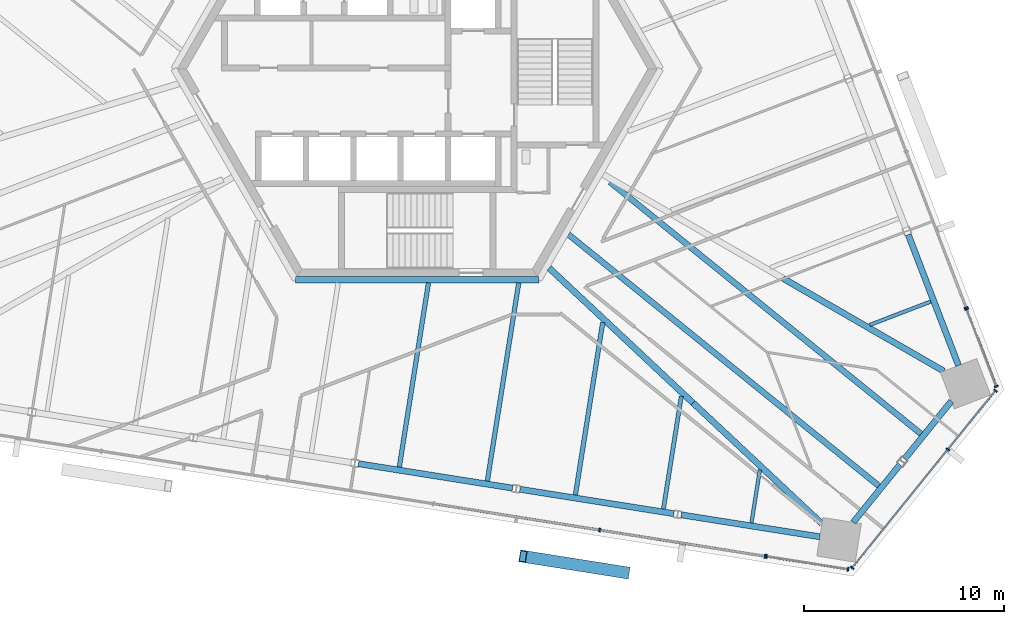
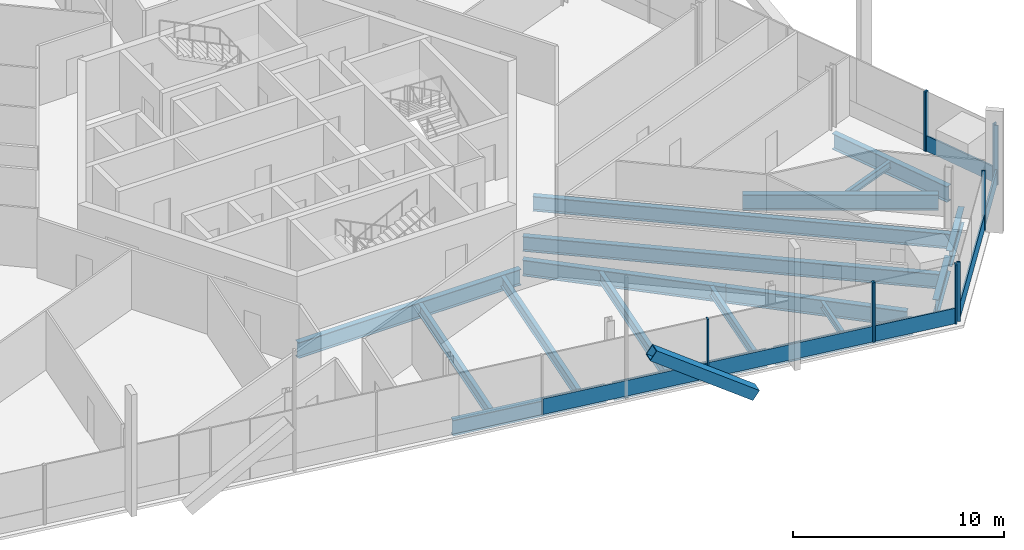
# One storey, part 6 of 21: 18 beams, 17 members, 5 elements without a shape of their own.
"""IFC4 building model written with IfcOpenShell, lengths in metres."""

from ifc_helpers import new_model, si_unit, direction, frame, origin, origin_2d, place, context, subcontext, project, spatial, rectangle, hollow_rectangle, i_section, extrude, source, transform, mapped, material, material_profile, profile_set, type_object, element, aggregate, save


model = new_model("IFC4")

# Units and contexts
model_context = context("Model", 3, precision=1e-05, world=origin(), true_north=direction((0.0, 1.0)))
body_context = subcontext(model_context, "Body", "Model", "MODEL_VIEW")
ifc_project = project(units=[si_unit("LENGTHUNIT", "METRE"), si_unit("AREAUNIT", "SQUARE_METRE"), si_unit("VOLUMEUNIT", "CUBIC_METRE"), si_unit("PLANEANGLEUNIT", "RADIAN"), si_unit("MASSUNIT", "GRAM", prefix="KILO")], contexts=[model_context])

# Site, building, storey
site_placement = place(None, origin())
site = spatial("IfcSite", under=ifc_project, at=site_placement, CompositionType="ELEMENT")
building_placement = place(site_placement, origin())
building = spatial("IfcBuilding", under=site, at=building_placement, Name="Triune Harvest Tower", CompositionType="ELEMENT")
storey_placement = place(building_placement, frame((0.0, 0.0, 146.10009765625)))
storey = spatial("IfcBuildingStorey", under=building, at=storey_placement, Name="L37", CompositionType="ELEMENT", Elevation=146.10009765625)

# Beams
ifc_material_1 = material(Name="Steel ASTM A992 Gr 50", Category="steel")
ifc_material_profile_1 = material_profile(ifc_material_1, i_section(OverallWidth=0.3046875, OverallDepth=0.914306640625, WebThickness=0.0166015625, FlangeThickness=0.02587890625, at=origin_2d()), Name="W36x160")
ifc_profile_set_1 = profile_set([ifc_material_profile_1], Name="Steel ASTM A992 Gr 50")
beam_type_1 = type_object("IfcBeamType", Name="CG-1 Core ring girder W36x160", PredefinedType="BEAM", material=ifc_profile_set_1)
shared_shape_1 = source(origin(), body_context, "Body", "SweptSolid", [
    extrude(i_section(OverallWidth=0.3046875, OverallDepth=0.914306640625, WebThickness=0.0166015625, FlangeThickness=0.02587890625, at=origin_2d()), origin(), (0.0, 0.0, 1.0), 12.17578125),
])
beam_1_placement = place(storey_placement, frame((-6.087890625, -10.544677734375, -0.6171875), z_axis=(1.0, 0.0, 0.0), x_axis=(0.0, 1.0, 0.0)))
element("IfcBeam", 1, at=beam_1_placement, inside=storey, type_object=beam_type_1, Name="beam/L37/CG5", PredefinedType="BEAM", context=body_context, shape_type="MappedRepresentation", body=[
    mapped(shared_shape_1, transform((0.0, 0.0, 0.0), scale=1.0)),
])
ifc_material_2 = material(Name="Steel ASTM A992 Gr 50", Category="steel")
ifc_material_profile_2 = material_profile(ifc_material_2, i_section(OverallWidth=0.307373046875, OverallDepth=0.922119140625, WebThickness=0.018310546875, FlangeThickness=0.030029296875, at=origin_2d()), Name="W36x182")
ifc_profile_set_2 = profile_set([ifc_material_profile_2], Name="Steel ASTM A992 Gr 50")
beam_type_2 = type_object("IfcBeamType", Name="HG-2 Hip girder W36x182", PredefinedType="BEAM", material=ifc_profile_set_2)
shared_shape_2 = source(origin(), body_context, "Body", "SweptSolid", [
    extrude(i_section(OverallWidth=0.307373046875, OverallDepth=0.922119140625, WebThickness=0.018310546875, FlangeThickness=0.030029296875, at=origin_2d()), origin(), (0.0, 0.0, 1.0), 9.85888671875),
])
beam_2_placement = place(storey_placement, frame((13.794189453125, -16.702392578125, -0.62109375), z_axis=(-0.729486233367, 0.683995493646, 0.0), x_axis=(-0.683995493646, -0.729486233367, 0.0)))
element("IfcBeam", 2, at=beam_2_placement, inside=storey, type_object=beam_type_2, Name="beam/L37/HG8", PredefinedType="BEAM", context=body_context, shape_type="MappedRepresentation", body=[
    mapped(shared_shape_2, transform((0.0, 0.0, 0.0), scale=1.0)),
])
ifc_material_3 = material(Name="Steel ASTM A992 Gr 50", Category="steel")
ifc_material_profile_3 = material_profile(ifc_material_3, i_section(OverallWidth=0.3046875, OverallDepth=0.914306640625, WebThickness=0.0166015625, FlangeThickness=0.02587890625, at=origin_2d()), Name="W36x160")
ifc_profile_set_3 = profile_set([ifc_material_profile_3], Name="Steel ASTM A992 Gr 50")
beam_type_3 = type_object("IfcBeamType", Name="SB-1 Spandrel beam W36x160", PredefinedType="SPANDREL", material=ifc_profile_set_3)
shared_shape_3 = source(origin(), body_context, "Body", "SweptSolid", [
    extrude(i_section(OverallWidth=0.3046875, OverallDepth=0.914306640625, WebThickness=0.0166015625, FlangeThickness=0.02587890625, at=origin_2d()), origin(), (0.0, 0.0, 1.0), 7.013427734375),
])
for number, where, z_axis, x_axis, name in (
    (3, (27.07568359375, -14.832275390625, -0.6171875), (-0.358372513984, 0.93357867436, 0.0), (-0.93357867436, -0.358372513984, 0.0), "beam/L37/SB1"),
    (4, (13.210205078125, -22.302978515625, -0.6171875), (0.987687489289, -0.156439839878, 0.0), (0.156439839878, 0.987687489289, 0.0), "beam/L37/SB22"),
):
    element("IfcBeam", number, at=place(storey_placement, frame(where, z_axis=z_axis, x_axis=x_axis)), inside=storey, type_object=beam_type_3, Name=name, PredefinedType="SPANDREL", context=body_context, shape_type="MappedRepresentation", body=[
        mapped(shared_shape_3, transform((0.0, 0.0, 0.0), scale=1.0)),
    ])
shared_shape_4 = source(origin(), body_context, "Body", "SweptSolid", [
    extrude(i_section(OverallWidth=0.3046875, OverallDepth=0.914306640625, WebThickness=0.0166015625, FlangeThickness=0.02587890625, at=origin_2d()), origin(), (0.0, 0.0, 1.0), 3.71240234375),
])
beam_3_placement = place(storey_placement, frame((21.808837890625, -22.677734375, -0.6171875), z_axis=(0.629351453127, 0.777120806855, 0.0), x_axis=(-0.777120806855, 0.629351453127, 0.0)))
element("IfcBeam", 5, at=beam_3_placement, inside=storey, type_object=beam_type_3, Name="beam/L37/SB23", PredefinedType="SPANDREL", context=body_context, shape_type="MappedRepresentation", body=[
    mapped(shared_shape_4, transform((0.0, 0.0, 0.0), scale=1.0)),
])
shared_shape_5 = source(origin(), body_context, "Body", "SweptSolid", [
    extrude(i_section(OverallWidth=0.3046875, OverallDepth=0.914306640625, WebThickness=0.0166015625, FlangeThickness=0.02587890625, at=origin_2d()), origin(), (0.0, 0.0, 1.0), 7.801513671875),
])
beam_4_placement = place(storey_placement, frame((5.135986328125, -21.024169921875, -0.6171875), z_axis=(0.98768800071, -0.156436610974, 0.0), x_axis=(0.156436610974, 0.98768800071, 0.0)))
element("IfcBeam", 6, at=beam_4_placement, inside=storey, type_object=beam_type_3, Name="beam/L37/SB21", PredefinedType="SPANDREL", context=body_context, shape_type="MappedRepresentation", body=[
    mapped(shared_shape_5, transform((0.0, 0.0, 0.0), scale=1.0)),
])
shared_shape_6 = source(origin(), body_context, "Body", "SweptSolid", [
    extrude(i_section(OverallWidth=0.3046875, OverallDepth=0.914306640625, WebThickness=0.0166015625, FlangeThickness=0.02587890625, at=origin_2d()), origin(), (0.0, 0.0, 1.0), 3.712646484375),
])
beam_5_placement = place(storey_placement, frame((24.380126953125, -19.50244140625, -0.6171875), z_axis=(0.629319290748, 0.777146852462, 0.0), x_axis=(-0.777146852462, 0.629319290748, 0.0)))
element("IfcBeam", 7, at=beam_5_placement, inside=storey, type_object=beam_type_3, Name="beam/L37/SB24", PredefinedType="SPANDREL", context=body_context, shape_type="MappedRepresentation", body=[
    mapped(shared_shape_6, transform((0.0, 0.0, 0.0), scale=1.0)),
])
shared_shape_7 = source(origin(), body_context, "Body", "SweptSolid", [
    extrude(i_section(OverallWidth=0.3046875, OverallDepth=0.914306640625, WebThickness=0.0166015625, FlangeThickness=0.02587890625, at=origin_2d()), origin(), (0.0, 0.0, 1.0), 7.80126953125),
])
beam_6_placement = place(storey_placement, frame((-2.938232421875, -19.745361328125, -0.6171875), z_axis=(0.987687234845, -0.15644144631, 0.0), x_axis=(0.15644144631, 0.987687234845, 0.0)))
element("IfcBeam", 8, at=beam_6_placement, inside=storey, type_object=beam_type_3, Name="beam/L37/SB20", PredefinedType="SPANDREL", context=body_context, shape_type="MappedRepresentation", body=[
    mapped(shared_shape_7, transform((0.0, 0.0, 0.0), scale=1.0)),
])
shared_shape_8 = source(origin(), body_context, "Body", "SweptSolid", [
    extrude(i_section(OverallWidth=0.307373046875, OverallDepth=0.922119140625, WebThickness=0.018310546875, FlangeThickness=0.030029296875, at=origin_2d()), origin(), (0.0, 0.0, 1.0), 9.28369140625),
])
beam_7_placement = place(storey_placement, frame((26.33837890625, -15.114990234375, -0.62109375), z_axis=(-0.86602880926, 0.499994101496, 0.0), x_axis=(-0.499994101496, -0.86602880926, 0.0)))
element("IfcBeam", 9, at=beam_7_placement, inside=storey, type_object=beam_type_2, Name="beam/L37/HG1", PredefinedType="BEAM", context=body_context, shape_type="MappedRepresentation", body=[
    mapped(shared_shape_8, transform((0.0, 0.0, 0.0), scale=1.0)),
])
shared_shape_9 = source(origin(), body_context, "Body", "SweptSolid", [
    extrude(i_section(OverallWidth=0.307373046875, OverallDepth=0.922119140625, WebThickness=0.018310546875, FlangeThickness=0.030029296875, at=origin_2d()), origin(), (0.0, 0.0, 1.0), 8.8369140625),
])
beam_8_placement = place(storey_placement, frame((20.24072265625, -22.746826171875, -0.62109375), z_axis=(-0.729491540387, 0.683989833626, 0.0), x_axis=(-0.683989833626, -0.729491540387, 0.0)))
element("IfcBeam", 10, at=beam_8_placement, inside=storey, type_object=beam_type_2, Name="beam/L37/HG7", PredefinedType="BEAM", context=body_context, shape_type="MappedRepresentation", body=[
    mapped(shared_shape_9, transform((0.0, 0.0, 0.0), scale=1.0)),
])
ifc_material_4 = material(Name="Steel ASTM A992 Gr 50", Category="steel")
ifc_material_profile_4 = material_profile(ifc_material_4, i_section(OverallWidth=0.180908203125, OverallDepth=0.41650390625, WebThickness=0.010986328125, FlangeThickness=0.01806640625, at=origin_2d()), Name="W16x57")
ifc_profile_set_4 = profile_set([ifc_material_profile_4], Name="Steel ASTM A992 Gr 50")
beam_type_4 = type_object("IfcBeamType", Name="JT-1 Floor joist W16x57", PredefinedType="JOIST", material=ifc_profile_set_4)
shared_shape_10 = source(origin(), body_context, "Body", "SweptSolid", [
    extrude(i_section(OverallWidth=0.180908203125, OverallDepth=0.41650390625, WebThickness=0.010986328125, FlangeThickness=0.01806640625, at=origin_2d()), origin(), (0.0, 0.0, 1.0), 3.260986328125),
])
beam_9_placement = place(storey_placement, frame((25.684814453125, -11.634033203125, -0.368408203125), z_axis=(-0.933600075775, -0.35831675723, 0.0), x_axis=(0.35831675723, -0.933600075775, 0.0)))
element("IfcBeam", 11, at=beam_9_placement, inside=storey, type_object=beam_type_4, Name="beam/L37/JT1", PredefinedType="JOIST", context=body_context, shape_type="MappedRepresentation", body=[
    mapped(shared_shape_10, transform((0.0, 0.0, 0.0), scale=1.0)),
])
ifc_material_5 = material(Name="Steel ASTM A992 Gr 50", Category="steel")
ifc_material_profile_5 = material_profile(ifc_material_5, i_section(OverallWidth=0.2919921875, OverallDepth=0.8583984375, WebThickness=0.01708984375, FlangeThickness=0.031005859375, at=origin_2d()), Name="W33x169")
ifc_profile_set_5 = profile_set([ifc_material_profile_5], Name="Steel ASTM A992 Gr 50")
beam_type_5 = type_object("IfcBeamType", Name="JT-7 Floor joist W33x169", PredefinedType="JOIST", material=ifc_profile_set_5)
shared_shape_11 = source(origin(), body_context, "Body", "SweptSolid", [
    extrude(i_section(OverallWidth=0.2919921875, OverallDepth=0.8583984375, WebThickness=0.01708984375, FlangeThickness=0.031005859375, at=origin_2d()), origin(), (0.0, 0.0, 1.0), 19.97216796875),
])
beam_10_placement = place(storey_placement, frame((23.090087890625, -20.853515625, -0.58935546875), z_axis=(-0.777140102023, 0.629327626779, 0.0), x_axis=(-0.629327626779, -0.777140102023, 0.0)))
element("IfcBeam", 12, at=beam_10_placement, inside=storey, type_object=beam_type_5, Name="beam/L37/JT35", PredefinedType="JOIST", context=body_context, shape_type="MappedRepresentation", body=[
    mapped(shared_shape_11, transform((0.0, 0.0, 0.0), scale=1.0)),
])
shared_shape_12 = source(origin(), body_context, "Body", "SweptSolid", [
    extrude(i_section(OverallWidth=0.2919921875, OverallDepth=0.8583984375, WebThickness=0.01708984375, FlangeThickness=0.031005859375, at=origin_2d()), origin(), (0.0, 0.0, 1.0), 20.01611328125),
])
beam_11_placement = place(storey_placement, frame((25.198486328125, -18.25, -0.58935546875), z_axis=(-0.777142320664, 0.629324887028, 0.0), x_axis=(-0.629324887028, -0.777142320664, 0.0)))
element("IfcBeam", 13, at=beam_11_placement, inside=storey, type_object=beam_type_5, Name="beam/L37/JT36", PredefinedType="JOIST", context=body_context, shape_type="MappedRepresentation", body=[
    mapped(shared_shape_12, transform((0.0, 0.0, 0.0), scale=1.0)),
])
ifc_material_6 = material(Name="Steel ASTM A992 Gr 50", Category="steel")
ifc_material_profile_6 = material_profile(ifc_material_6, i_section(OverallWidth=0.22900390625, OverallDepth=0.612060546875, WebThickness=0.011962890625, FlangeThickness=0.01953125, at=origin_2d()), Name="W24x84")
ifc_profile_set_6 = profile_set([ifc_material_profile_6], Name="Steel ASTM A992 Gr 50")
beam_type_6 = type_object("IfcBeamType", Name="JT-3 Floor joist W24x84", PredefinedType="JOIST", material=ifc_profile_set_6)
shared_shape_13 = source(origin(), body_context, "Body", "SweptSolid", [
    extrude(i_section(OverallWidth=0.22900390625, OverallDepth=0.612060546875, WebThickness=0.011962890625, FlangeThickness=0.01953125, at=origin_2d()), origin(), (0.0, 0.0, 1.0), 9.332275390625),
])
beam_12_placement = place(storey_placement, frame((-0.896728515625, -19.914306640625, -0.46630859375), z_axis=(0.156417974358, 0.987690952321, 0.0), x_axis=(-0.987690952321, 0.156417974358, 0.0)))
element("IfcBeam", 14, at=beam_12_placement, inside=storey, type_object=beam_type_6, Name="beam/L37/JT30", PredefinedType="JOIST", context=body_context, shape_type="MappedRepresentation", body=[
    mapped(shared_shape_13, transform((0.0, 0.0, 0.0), scale=1.0)),
])
shared_shape_14 = source(origin(), body_context, "Body", "SweptSolid", [
    extrude(i_section(OverallWidth=0.22900390625, OverallDepth=0.612060546875, WebThickness=0.011962890625, FlangeThickness=0.01953125, at=origin_2d()), origin(), (0.0, 0.0, 1.0), 10.03857421875),
])
beam_13_placement = place(storey_placement, frame((3.50732421875, -20.612060546875, -0.46630859375), z_axis=(0.156427136615, 0.987689501276, 0.0), x_axis=(-0.987689501276, 0.156427136615, 0.0)))
element("IfcBeam", 15, at=beam_13_placement, inside=storey, type_object=beam_type_6, Name="beam/L37/JT31", PredefinedType="JOIST", context=body_context, shape_type="MappedRepresentation", body=[
    mapped(shared_shape_14, transform((0.0, 0.0, 0.0), scale=1.0)),
])
shared_shape_15 = source(origin(), body_context, "Body", "SweptSolid", [
    extrude(i_section(OverallWidth=0.22900390625, OverallDepth=0.612060546875, WebThickness=0.011962890625, FlangeThickness=0.01953125, at=origin_2d()), origin(), (0.0, 0.0, 1.0), 8.73828125),
])
beam_14_placement = place(storey_placement, frame((7.91162109375, -21.3095703125, -0.46630859375), z_axis=(0.156433147227, 0.987688549315, 0.0), x_axis=(-0.987688549315, 0.156433147227, 0.0)))
element("IfcBeam", 16, at=beam_14_placement, inside=storey, type_object=beam_type_6, Name="beam/L37/JT32", PredefinedType="JOIST", context=body_context, shape_type="MappedRepresentation", body=[
    mapped(shared_shape_15, transform((0.0, 0.0, 0.0), scale=1.0)),
])
ifc_material_7 = material(Name="Steel ASTM A992 Gr 50", Category="steel")
ifc_material_profile_7 = material_profile(ifc_material_7, i_section(OverallWidth=0.2099609375, OverallDepth=0.535888671875, WebThickness=0.010986328125, FlangeThickness=0.017333984375, at=origin_2d()), Name="W21x68")
ifc_profile_set_7 = profile_set([ifc_material_profile_7], Name="Steel ASTM A992 Gr 50")
beam_type_7 = type_object("IfcBeamType", Name="JT-2 Floor joist W21x68", PredefinedType="JOIST", material=ifc_profile_set_7)
shared_shape_16 = source(origin(), body_context, "Body", "SweptSolid", [
    extrude(i_section(OverallWidth=0.2099609375, OverallDepth=0.535888671875, WebThickness=0.010986328125, FlangeThickness=0.017333984375, at=origin_2d()), origin(), (0.0, 0.0, 1.0), 5.712646484375),
])
beam_15_placement = place(storey_placement, frame((12.315673828125, -22.007080078125, -0.427978515625), z_axis=(0.156458528862, 0.98768452896, 0.0), x_axis=(-0.98768452896, 0.156458528862, 0.0)))
element("IfcBeam", 17, at=beam_15_placement, inside=storey, type_object=beam_type_7, Name="beam/L37/JT33", PredefinedType="JOIST", context=body_context, shape_type="MappedRepresentation", body=[
    mapped(shared_shape_16, transform((0.0, 0.0, 0.0), scale=1.0)),
])
shared_shape_17 = source(origin(), body_context, "Body", "SweptSolid", [
    extrude(i_section(OverallWidth=0.180908203125, OverallDepth=0.41650390625, WebThickness=0.010986328125, FlangeThickness=0.01806640625, at=origin_2d()), origin(), (0.0, 0.0, 1.0), 2.6875),
])
beam_16_placement = place(storey_placement, frame((16.719970703125, -22.70458984375, -0.368408203125), z_axis=(0.156438396813, 0.987687717856, 0.0), x_axis=(-0.987687717856, 0.156438396813, 0.0)))
element("IfcBeam", 18, at=beam_16_placement, inside=storey, type_object=beam_type_4, Name="beam/L37/JT34", PredefinedType="JOIST", context=body_context, shape_type="MappedRepresentation", body=[
    mapped(shared_shape_17, transform((0.0, 0.0, 0.0), scale=1.0)),
])

# Member
ifc_material_8 = material(Name="Steel ASTM A572 Gr 50", Category="steel")
ifc_material_profile_8 = material_profile(ifc_material_8, hollow_rectangle(XDim=0.60009765625, YDim=0.60009765625, WallThickness=0.0400390625, at=origin_2d()), Name="Box 600x600x40")
ifc_profile_set_8 = profile_set([ifc_material_profile_8], Name="Steel ASTM A572 Gr 50")
member_type_1 = type_object("IfcMemberType", Name="BR-2 Brace Box 600x600x40", PredefinedType="BRACE", material=ifc_profile_set_8)
shared_shape_18 = source(origin(), body_context, "Body", "SweptSolid", [
    extrude(hollow_rectangle(XDim=0.60009765625, YDim=0.60009765625, WallThickness=0.0400390625, at=origin_2d()), origin(), (0.0, 0.0, 1.0), 6.3291015625),
])
member_1_placement = place(storey_placement, frame((10.431396484375, -25.192626953125, 0.0), z_axis=(-0.812370358073, 0.12864459374, 0.568774972925), x_axis=(-0.156408097916, -0.987692516377, 0.0)))
element("IfcMember", 19, at=member_1_placement, inside=storey, type_object=member_type_1, Name="brace/B4-F5/d2/3", PredefinedType="BRACE", context=body_context, shape_type="MappedRepresentation", body=[
    mapped(shared_shape_18, transform((0.0, 0.0, 0.0), scale=1.0)),
])

# Curtain wall, members
ifc_material_9 = material(Name="Aluminium bronze anodised", Category="aluminium")
curtain_wall_type_1 = type_object("IfcCurtainWallType", Name="CW-1 Tower stick curtain wall", PredefinedType="NOTDEFINED", material=ifc_material_9)
curtain_wall_1_placement = place(storey_placement, origin())
curtain_wall_1 = element("IfcCurtainWall", 20, at=curtain_wall_1_placement, inside=storey, type_object=curtain_wall_type_1, Name="CW-1 B4-F1 L37 run 1")
ifc_material_10 = material(Name="Aluminium bronze anodised", Category="aluminium")
ifc_material_profile_9 = material_profile(ifc_material_10, rectangle(XDim=0.199951171875, YDim=0.074951171875, at=origin_2d()), Name="MU-1 mullion 75 x 200")
ifc_profile_set_9 = profile_set([ifc_material_profile_9], Name="Aluminium bronze anodised")
member_type_2 = type_object("IfcMemberType", Name="MU-1 mullion 75 x 200", PredefinedType="MULLION", material=ifc_profile_set_9)
shared_shape_19 = source(origin(), body_context, "Body", "SweptSolid", [
    extrude(rectangle(XDim=0.199951171875, YDim=0.074951171875, at=origin_2d()), origin(), (0.0, 0.0, 1.0), 3.43994140625),
])
member_2_placement = place(storey_placement, frame((28.963134765625, -15.874267578125, 0.0), z_axis=(0.0, 0.0, 1.0), x_axis=(-0.933580586242, -0.358367533395, 0.0)))
member_2 = element("IfcMember", 21, at=member_2_placement, type_object=member_type_2, Name="CW-1 mullion B4-F1 1.1", PredefinedType="MULLION", context=body_context, shape_type="MappedRepresentation", body=[
    mapped(shared_shape_19, transform((0.0, 0.0, 0.0), scale=1.0)),
])
member_3_placement = place(storey_placement, frame((27.482666015625, -12.017333984375, 0.0), z_axis=(0.0, 0.0, 1.0), x_axis=(-0.933580586242, -0.358367533395, 0.0)))
member_3 = element("IfcMember", 22, at=member_3_placement, type_object=member_type_2, Name="CW-1 mullion B4-F1 1.2", PredefinedType="MULLION", context=body_context, shape_type="MappedRepresentation", body=[
    mapped(shared_shape_19, transform((0.0, 0.0, 0.0), scale=1.0)),
])

# Curtain wall, member
ifc_material_11 = material(Name="Aluminium bronze anodised", Category="aluminium")
curtain_wall_type_2 = type_object("IfcCurtainWallType", Name="CW-7 Tower stick curtain wall with insulated spandrel infill", PredefinedType="NOTDEFINED", material=ifc_material_11)
curtain_wall_2_placement = place(storey_placement, origin())
curtain_wall_2 = element("IfcCurtainWall", 23, at=curtain_wall_2_placement, inside=storey, type_object=curtain_wall_type_2, Name="CW-7 B4-F1 L37 run 1001")
member_4_placement = place(storey_placement, frame((27.455810546875, -11.947509765625, 0.0), z_axis=(0.0, 0.0, 1.0), x_axis=(-0.933579785245, -0.35836962006, 0.0)))
member_4 = element("IfcMember", 24, at=member_4_placement, type_object=member_type_2, Name="CW-7 mullion B4-F1 1001.1", PredefinedType="MULLION", context=body_context, shape_type="MappedRepresentation", body=[
    mapped(shared_shape_19, transform((0.0, 0.0, 0.0), scale=1.0)),
])
aggregate(curtain_wall_2, [member_4])

# Curtain wall, members
curtain_wall_3_placement = place(storey_placement, origin())
curtain_wall_3 = element("IfcCurtainWall", 25, at=curtain_wall_3_placement, inside=storey, type_object=curtain_wall_type_2, Name="CW-7 B4-F5 L37 run 1001")
member_5_placement = place(storey_placement, frame((9.123046875, -23.061767578125, 0.0), z_axis=(0.0, 0.0, 1.0), x_axis=(0.156433077296, 0.987688560391, 0.0)))
member_5 = element("IfcMember", 26, at=member_5_placement, type_object=member_type_2, Name="CW-7 mullion B4-F5 1001.9", PredefinedType="MULLION", context=body_context, shape_type="MappedRepresentation", body=[
    mapped(shared_shape_19, transform((0.0, 0.0, 0.0), scale=1.0)),
])
member_6_placement = place(storey_placement, frame((17.394775390625, -24.371826171875, 0.0), z_axis=(0.0, 0.0, 1.0), x_axis=(0.156433077296, 0.987688560391, 0.0)))
member_6 = element("IfcMember", 27, at=member_6_placement, type_object=member_type_2, Name="CW-7 mullion B4-F5 1001.11", PredefinedType="MULLION", context=body_context, shape_type="MappedRepresentation", body=[
    mapped(shared_shape_19, transform((0.0, 0.0, 0.0), scale=1.0)),
])

curtain_wall_4_placement = place(storey_placement, origin())
curtain_wall_4 = element("IfcCurtainWall", 28, at=curtain_wall_4_placement, inside=storey, type_object=curtain_wall_type_1, Name="CW-1 B4-F5 L37 run 2001")
member_7_placement = place(storey_placement, frame((17.46875, -24.383544921875, 0.0), z_axis=(0.0, 0.0, 1.0), x_axis=(0.15644446033, 0.987686757445, 0.0)))
member_7 = element("IfcMember", 29, at=member_7_placement, type_object=member_type_2, Name="CW-1 mullion B4-F5 2001.1", PredefinedType="MULLION", context=body_context, shape_type="MappedRepresentation", body=[
    mapped(shared_shape_19, transform((0.0, 0.0, 0.0), scale=1.0)),
])
member_8_placement = place(storey_placement, frame((21.549072265625, -25.02978515625, 0.0), z_axis=(0.0, 0.0, 1.0), x_axis=(0.15644446033, 0.987686757445, 0.0)))
member_8 = element("IfcMember", 30, at=member_8_placement, type_object=member_type_2, Name="CW-1 mullion B4-F5 2001.2", PredefinedType="MULLION", context=body_context, shape_type="MappedRepresentation", body=[
    mapped(shared_shape_19, transform((0.0, 0.0, 0.0), scale=1.0)),
])

curtain_wall_5_placement = place(storey_placement, origin())
curtain_wall_5 = element("IfcCurtainWall", 31, at=curtain_wall_5_placement, inside=storey, type_object=curtain_wall_type_1, Name="CW-1 B4-F6 L37 run 1")
member_9_placement = place(storey_placement, frame((21.755126953125, -24.95068359375, 0.0), z_axis=(0.0, 0.0, 1.0), x_axis=(-0.777145544932, 0.629320905414, 0.0)))
member_9 = element("IfcMember", 32, at=member_9_placement, type_object=member_type_2, Name="CW-1 mullion B4-F6 1.1", PredefinedType="MULLION", context=body_context, shape_type="MappedRepresentation", body=[
    mapped(shared_shape_19, transform((0.0, 0.0, 0.0), scale=1.0)),
])
member_10_placement = place(storey_placement, frame((26.54541015625, -19.035400390625, 0.0), z_axis=(0.0, 0.0, 1.0), x_axis=(-0.777145544932, 0.629320905414, 0.0)))
member_10 = element("IfcMember", 33, at=member_10_placement, type_object=member_type_2, Name="CW-1 mullion B4-F6 1.3", PredefinedType="MULLION", context=body_context, shape_type="MappedRepresentation", body=[
    mapped(shared_shape_19, transform((0.0, 0.0, 0.0), scale=1.0)),
])
member_11_placement = place(storey_placement, frame((28.9287109375, -16.09228515625, 0.0), z_axis=(0.0, 0.0, 1.0), x_axis=(-0.777145544932, 0.629320905414, 0.0)))
member_11 = element("IfcMember", 34, at=member_11_placement, type_object=member_type_2, Name="CW-1 mullion B4-F6 1.4", PredefinedType="MULLION", context=body_context, shape_type="MappedRepresentation", body=[
    mapped(shared_shape_19, transform((0.0, 0.0, 0.0), scale=1.0)),
])

# Member
ifc_material_12 = material(Name="Aluminium bronze anodised", Category="aluminium")
ifc_material_profile_10 = material_profile(ifc_material_12, rectangle(XDim=0.090087890625, YDim=0.89990234375, at=origin_2d()), Name="TR-1 transom 90 x 900")
ifc_profile_set_10 = profile_set([ifc_material_profile_10], Name="Aluminium bronze anodised")
member_type_3 = type_object("IfcMemberType", Name="TR-1 transom 90 x 900", PredefinedType="USERDEFINED", material=ifc_profile_set_10)
shared_shape_20 = source(origin(), body_context, "Body", "SweptSolid", [
    extrude(rectangle(XDim=0.090087890625, YDim=0.89990234375, at=origin_2d()), origin(), (0.0, 0.0, 1.0), 8.337158203125),
])
member_12_placement = place(storey_placement, frame((0.851318359375, -21.751708984375, 0.449951171875), z_axis=(0.987689013774, -0.156430214699, 0.0), x_axis=(0.156430214699, 0.987689013774, 0.0)))
member_12 = element("IfcMember", 35, at=member_12_placement, type_object=member_type_3, Name="CW-7 transom B4-F5 1001.4", ObjectType="TRANSOM", PredefinedType="USERDEFINED", context=body_context, shape_type="MappedRepresentation", body=[
    mapped(shared_shape_20, transform((0.0, 0.0, 0.0), scale=1.0)),
])

shared_shape_21 = source(origin(), body_context, "Body", "SweptSolid", [
    extrude(rectangle(XDim=0.090087890625, YDim=0.89990234375, at=origin_2d()), origin(), (0.0, 0.0, 1.0), 7.53662109375),
])
member_13_placement = place(storey_placement, frame((21.77880859375, -24.921630859375, 0.449951171875), z_axis=(0.629310046563, 0.777154338143, 0.0), x_axis=(-0.777154338143, 0.629310046563, 0.0)))
member_13 = element("IfcMember", 36, at=member_13_placement, type_object=member_type_3, Name="CW-1 transom B4-F6 1.1", ObjectType="TRANSOM", PredefinedType="USERDEFINED", context=body_context, shape_type="MappedRepresentation", body=[
    mapped(shared_shape_21, transform((0.0, 0.0, 0.0), scale=1.0)),
])

shared_shape_22 = source(origin(), body_context, "Body", "SweptSolid", [
    extrude(rectangle(XDim=0.090087890625, YDim=0.89990234375, at=origin_2d()), origin(), (0.0, 0.0, 1.0), 3.712158203125),
])
member_14_placement = place(storey_placement, frame((26.569091796875, -19.00634765625, 0.449951171875), z_axis=(0.629272012567, 0.777185135087, 0.0), x_axis=(-0.777185135087, 0.629272012567, 0.0)))
member_14 = element("IfcMember", 37, at=member_14_placement, type_object=member_type_3, Name="CW-1 transom B4-F6 1.2", ObjectType="TRANSOM", PredefinedType="USERDEFINED", context=body_context, shape_type="MappedRepresentation", body=[
    mapped(shared_shape_22, transform((0.0, 0.0, 0.0), scale=1.0)),
])

aggregate(curtain_wall_5, [member_9, member_10, member_11, member_13, member_14])

shared_shape_23 = source(origin(), body_context, "Body", "SweptSolid", [
    extrude(rectangle(XDim=0.090087890625, YDim=0.89990234375, at=origin_2d()), origin(), (0.0, 0.0, 1.0), 4.05615234375),
])
member_15_placement = place(storey_placement, frame((28.94970703125, -15.839111328125, 0.449951171875), z_axis=(-0.358382052033, 0.933575012937, 0.0), x_axis=(-0.933575012937, -0.358382052033, 0.0)))
member_15 = element("IfcMember", 38, at=member_15_placement, type_object=member_type_3, Name="CW-1 transom B4-F1 1.1", ObjectType="TRANSOM", PredefinedType="USERDEFINED", context=body_context, shape_type="MappedRepresentation", body=[
    mapped(shared_shape_23, transform((0.0, 0.0, 0.0), scale=1.0)),
])

aggregate(curtain_wall_1, [member_2, member_3, member_15])

member_16_placement = place(storey_placement, frame((17.505859375, -24.389404296875, 0.449951171875), z_axis=(0.987687692192, -0.15643855884, 0.0), x_axis=(0.15643855884, 0.987687692192, 0.0)))
member_16 = element("IfcMember", 39, at=member_16_placement, type_object=member_type_3, Name="CW-1 transom B4-F5 2001.1", ObjectType="TRANSOM", PredefinedType="USERDEFINED", context=body_context, shape_type="MappedRepresentation", body=[
    mapped(shared_shape_23, transform((0.0, 0.0, 0.0), scale=1.0)),
])

aggregate(curtain_wall_4, [member_7, member_8, member_16])

shared_shape_24 = source(origin(), body_context, "Body", "SweptSolid", [
    extrude(rectangle(XDim=0.090087890625, YDim=0.89990234375, at=origin_2d()), origin(), (0.0, 0.0, 1.0), 8.2998046875),
])
member_17_placement = place(storey_placement, frame((9.16015625, -23.067626953125, 0.449951171875), z_axis=(0.987688678524, -0.156432331429, 0.0), x_axis=(0.156432331429, 0.987688678524, 0.0)))
member_17 = element("IfcMember", 40, at=member_17_placement, type_object=member_type_3, Name="CW-7 transom B4-F5 1001.5", ObjectType="TRANSOM", PredefinedType="USERDEFINED", context=body_context, shape_type="MappedRepresentation", body=[
    mapped(shared_shape_24, transform((0.0, 0.0, 0.0), scale=1.0)),
])

aggregate(curtain_wall_3, [member_5, member_6, member_12, member_17])

save(model, "model.ifc")
